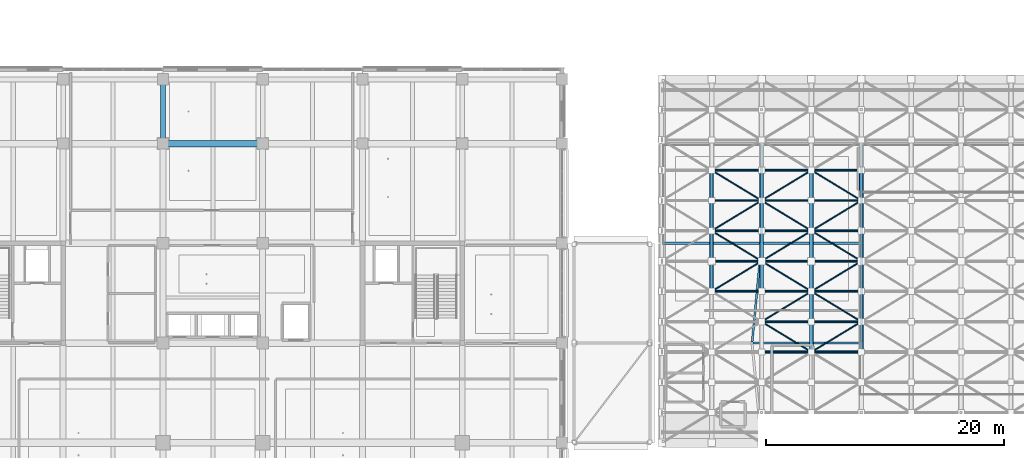
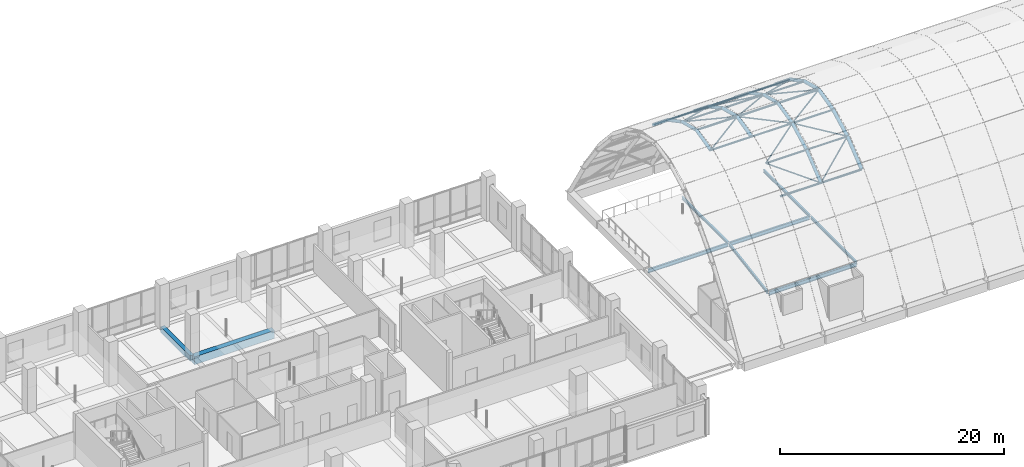
# One storey, part 25 of 128: 45 members, 19 beams.
"""IFC4 building model written with IfcOpenShell, lengths in metres."""

from ifc_helpers import new_model, si_unit, direction, frame, origin, origin_2d, place, context, subcontext, project, spatial, rectangle, hollow_circle, i_section, extrude, material, material_profile, profile_set, type_object, element, save


model = new_model("IFC4")

# Units and contexts
model_context = context("Model", 3, precision=1e-05, world=origin(), true_north=direction((0.0, 1.0)))
body_context = subcontext(model_context, "Body", "Model", "MODEL_VIEW")
ifc_project = project(units=[si_unit("LENGTHUNIT", "METRE"), si_unit("AREAUNIT", "SQUARE_METRE"), si_unit("VOLUMEUNIT", "CUBIC_METRE"), si_unit("PLANEANGLEUNIT", "RADIAN"), si_unit("MASSUNIT", "GRAM", prefix="KILO")], contexts=[model_context])

# Site, building, storey
site_placement = place(None, origin())
site = spatial("IfcSite", under=ifc_project, at=site_placement, CompositionType="ELEMENT")
building_placement = place(site_placement, origin())
building = spatial("IfcBuilding", under=site, at=building_placement, Name="Telukmera Botanical Conservatory", CompositionType="ELEMENT")
storey_placement = place(building_placement, frame((0.0, 0.0, 5.39990234375)))
storey = spatial("IfcBuildingStorey", under=building, at=storey_placement, Name="L01", CompositionType="ELEMENT", Elevation=5.39990234375)

# Beams
ifc_material_1 = material(Name="Concrete C40/50", Category="concrete")
ifc_material_profile_1 = material_profile(ifc_material_1, rectangle(XDim=0.39990234375, YDim=0.60009765625, at=origin_2d()), Name="RC 400x600")
ifc_profile_set_1 = profile_set([ifc_material_profile_1], Name="Concrete C40/50")
beam_type_1 = type_object("IfcBeamType", Name="Beam_B18", PredefinedType="BEAM", material=ifc_profile_set_1)
beam_1_placement = place(storey_placement, frame((75.60009765625, 42.8798828125, -0.2998046875), z_axis=(0.0, 1.0, 0.0), x_axis=(-1.0, 0.0, 0.0)))
element("IfcBeam", 1, at=beam_1_placement, inside=storey, type_object=beam_type_1, Name="Tower Transverse Beam L01", PredefinedType="BEAM", context=body_context, shape_type="SweptSolid", body=[
    extrude(rectangle(XDim=0.39990234375, YDim=0.60009765625, at=origin_2d()), origin(), (0.0, 0.0, 1.0), 5.240234375),
])
ifc_material_profile_2 = material_profile(ifc_material_1, rectangle(XDim=0.550048828125, YDim=0.85009765625, at=origin_2d()), Name="RC 550x850")
ifc_profile_set_2 = profile_set([ifc_material_profile_2], Name="Concrete C40/50")
beam_type_2 = type_object("IfcBeamType", Name="Beam_B4", PredefinedType="BEAM", material=ifc_profile_set_2)
beam_2_placement = place(storey_placement, frame((75.679931640625, 42.800048828125, -0.4248046875), z_axis=(1.0, 0.0, 0.0), x_axis=(0.0, 1.0, 0.0)))
element("IfcBeam", 2, at=beam_2_placement, inside=storey, type_object=beam_type_2, Name="Tower Grid Beam L01", PredefinedType="BEAM", context=body_context, shape_type="SweptSolid", body=[
    extrude(rectangle(XDim=0.550048828125, YDim=0.85009765625, at=origin_2d()), origin(), (0.0, 0.0, 1.0), 8.239990234375),
])
ifc_material_2 = material(Name="Steel S355", Category="steel")
ifc_material_profile_3 = material_profile(ifc_material_2, hollow_circle(Radius=0.177734375, WallThickness=0.012451171875, at=origin_2d()), Name="CHS 355.6x12.5")
ifc_profile_set_3 = profile_set([ifc_material_profile_3], Name="Steel S355")
beam_type_3 = type_object("IfcBeamType", Name="Beam_GA2", PredefinedType="BEAM", material=ifc_profile_set_3)
for number, where, z_axis, x_axis, name in (
    (3, (126.0, 30.369384765625, 13.761474609375), (0.0, 0.969596662505, 0.244708626858), (-1.0, 0.0, 0.0), "Conservatory Gridshell Primary Arch Rib A02-05"),
    (4, (126.0, 32.91943359375, 14.395263671875), (0.0, 0.969596662505, -0.244708626858), (-1.0, 0.0, 0.0), "Conservatory Gridshell Primary Arch Rib A02-06"),
):
    element("IfcBeam", number, at=place(storey_placement, frame(where, z_axis=z_axis, x_axis=x_axis)), inside=storey, type_object=beam_type_3, Name=name, PredefinedType="BEAM", context=body_context, shape_type="SweptSolid", body=[
        extrude(hollow_circle(Radius=0.177734375, WallThickness=0.012451171875, at=origin_2d()), origin(), (0.0, 0.0, 1.0), 2.590087890625),
    ])
beam_3_placement = place(storey_placement, frame((126.0, 35.4677734375, 13.7470703125), z_axis=(0.0, 0.883608393745, -0.468226661462), x_axis=(-1.0, 0.0, 0.0)))
element("IfcBeam", 5, at=beam_3_placement, inside=storey, type_object=beam_type_3, Name="Conservatory Gridshell Primary Arch Rib A02-07", PredefinedType="BEAM", context=body_context, shape_type="SweptSolid", body=[
    extrude(hollow_circle(Radius=0.177734375, WallThickness=0.012451171875, at=origin_2d()), origin(), (0.0, 0.0, 1.0), 2.845947265625),
])
for number, where, z_axis, x_axis, name in (
    (6, (126.0, 38.015625, 12.392578125), (0.0, 0.77797662105, -0.628293225413), (-1.0, 0.0, 0.0), "Conservatory Gridshell Primary Arch Rib A02-08"),
    (7, (134.39990234375, 25.265625, 10.3583984375), (0.0, 0.77797662105, 0.628293225413), (-1.0, 0.0, 0.0), "Conservatory Gridshell Primary Arch Rib A04-03"),
):
    element("IfcBeam", number, at=place(storey_placement, frame(where, z_axis=z_axis, x_axis=x_axis)), inside=storey, type_object=beam_type_3, Name=name, PredefinedType="BEAM", context=body_context, shape_type="SweptSolid", body=[
        extrude(hollow_circle(Radius=0.177734375, WallThickness=0.012451171875, at=origin_2d()), origin(), (0.0, 0.0, 1.0), 3.237548828125),
    ])
beam_4_placement = place(storey_placement, frame((134.39990234375, 27.817626953125, 12.41455078125), z_axis=(0.0, 0.883608393745, 0.468226661462), x_axis=(-1.0, 0.0, 0.0)))
element("IfcBeam", 8, at=beam_4_placement, inside=storey, type_object=beam_type_3, Name="Conservatory Gridshell Primary Arch Rib A04-04", PredefinedType="BEAM", context=body_context, shape_type="SweptSolid", body=[
    extrude(hollow_circle(Radius=0.177734375, WallThickness=0.012451171875, at=origin_2d()), origin(), (0.0, 0.0, 1.0), 2.845947265625),
])
for number, where, z_axis, x_axis, name in (
    (9, (134.39990234375, 30.369384765625, 13.761474609375), (0.0, 0.969596662505, 0.244708626858), (-1.0, 0.0, 0.0), "Conservatory Gridshell Primary Arch Rib A04-05"),
    (10, (134.39990234375, 32.91943359375, 14.395263671875), (0.0, 0.969596662505, -0.244708626858), (-1.0, 0.0, 0.0), "Conservatory Gridshell Primary Arch Rib A04-06"),
):
    element("IfcBeam", number, at=place(storey_placement, frame(where, z_axis=z_axis, x_axis=x_axis)), inside=storey, type_object=beam_type_3, Name=name, PredefinedType="BEAM", context=body_context, shape_type="SweptSolid", body=[
        extrude(hollow_circle(Radius=0.177734375, WallThickness=0.012451171875, at=origin_2d()), origin(), (0.0, 0.0, 1.0), 2.590087890625),
    ])
beam_5_placement = place(storey_placement, frame((134.39990234375, 35.4677734375, 13.7470703125), z_axis=(0.0, 0.883608393745, -0.468226661462), x_axis=(-1.0, 0.0, 0.0)))
element("IfcBeam", 11, at=beam_5_placement, inside=storey, type_object=beam_type_3, Name="Conservatory Gridshell Primary Arch Rib A04-07", PredefinedType="BEAM", context=body_context, shape_type="SweptSolid", body=[
    extrude(hollow_circle(Radius=0.177734375, WallThickness=0.012451171875, at=origin_2d()), origin(), (0.0, 0.0, 1.0), 2.845947265625),
])
beam_6_placement = place(storey_placement, frame((134.39990234375, 38.015625, 12.392578125), z_axis=(0.0, 0.77797662105, -0.628293225413), x_axis=(-1.0, 0.0, 0.0)))
element("IfcBeam", 12, at=beam_6_placement, inside=storey, type_object=beam_type_3, Name="Conservatory Gridshell Primary Arch Rib A04-08", PredefinedType="BEAM", context=body_context, shape_type="SweptSolid", body=[
    extrude(hollow_circle(Radius=0.177734375, WallThickness=0.012451171875, at=origin_2d()), origin(), (0.0, 0.0, 1.0), 3.237548828125),
])
ifc_material_profile_4 = material_profile(ifc_material_2, i_section(OverallWidth=0.1787109375, OverallDepth=0.409423828125, WebThickness=0.0087890625, FlangeThickness=0.014404296875, FilletRadius=0.01025390625, at=origin_2d()), Name="UB 406x178x67")
ifc_profile_set_4 = profile_set([ifc_material_profile_4], Name="Steel S355")
beam_type_4 = type_object("IfcBeamType", Name="Beam_SB4", PredefinedType="BEAM", material=ifc_profile_set_4)
beam_7_placement = place(storey_placement, frame((125.280029296875, 26.0, -0.404541015625), z_axis=(1.0, 0.0, 0.0), x_axis=(0.0, 1.0, 0.0)))
element("IfcBeam", 13, at=beam_7_placement, inside=storey, type_object=beam_type_4, Name="Conservatory Skywalk Steel Girder", PredefinedType="BEAM", context=body_context, shape_type="SweptSolid", body=[
    extrude(i_section(OverallWidth=0.1787109375, OverallDepth=0.409423828125, WebThickness=0.0087890625, FlangeThickness=0.014404296875, FilletRadius=0.01025390625, at=origin_2d()), origin(), (0.0, 0.0, 1.0), 9.0400390625),
])
for number, where, z_axis, x_axis, name in (
    (14, (117.679931640625, 34.39990234375, -0.404541015625), (1.0, 0.0, 0.0), (0.0, 1.0, 0.0), "Conservatory Skywalk Steel Girder"),
    (15, (126.080078125, 34.39990234375, -0.404541015625), (1.0, 0.0, 0.0), (0.0, 1.0, 0.0), "Conservatory Skywalk Steel Girder"),
):
    element("IfcBeam", number, at=place(storey_placement, frame(where, z_axis=z_axis, x_axis=x_axis)), inside=storey, type_object=beam_type_4, Name=name, PredefinedType="BEAM", context=body_context, shape_type="SweptSolid", body=[
        extrude(i_section(OverallWidth=0.1787109375, OverallDepth=0.409423828125, WebThickness=0.0087890625, FlangeThickness=0.014404296875, FilletRadius=0.01025390625, at=origin_2d()), origin(), (0.0, 0.0, 1.0), 8.239990234375),
    ])
ifc_material_profile_5 = material_profile(ifc_material_2, i_section(OverallWidth=0.165771484375, OverallDepth=0.306640625, WebThickness=0.006591796875, FlangeThickness=0.01171875, FilletRadius=0.0087890625, at=origin_2d()), Name="UB 305x165x46")
ifc_profile_set_5 = profile_set([ifc_material_profile_5], Name="Steel S355")
beam_type_5 = type_object("IfcBeamType", Name="Beam_SB6", PredefinedType="JOIST", material=ifc_profile_set_5)
beam_8_placement = place(storey_placement, frame((125.20751953125, 26.07958984375, -0.353271484375), z_axis=(0.094818835136, 0.995494544688, 0.0), x_axis=(-0.995494544688, 0.094818835136, 0.0)))
element("IfcBeam", 16, at=beam_8_placement, inside=storey, type_object=beam_type_5, Name="Conservatory Skywalk Bridge Beam", PredefinedType="JOIST", context=body_context, shape_type="SweptSolid", body=[
    extrude(i_section(OverallWidth=0.165771484375, OverallDepth=0.306640625, WebThickness=0.006591796875, FlangeThickness=0.01171875, FilletRadius=0.0087890625, at=origin_2d()), origin(), (0.0, 0.0, 1.0), 8.278076171875),
])
for number, where, z_axis, x_axis, name in (
    (17, (134.39990234375, 26.080078125, -0.353271484375), (0.0, 1.0, 0.0), (-1.0, 0.0, 0.0), "Conservatory Skywalk Bridge Beam"),
    (18, (126.0, 34.47998046875, -0.353271484375), (0.0, 1.0, 0.0), (-1.0, 0.0, 0.0), "Conservatory Skywalk Bridge Beam"),
    (19, (134.39990234375, 34.47998046875, -0.353271484375), (0.0, 1.0, 0.0), (-1.0, 0.0, 0.0), "Conservatory Skywalk Bridge Beam"),
):
    element("IfcBeam", number, at=place(storey_placement, frame(where, z_axis=z_axis, x_axis=x_axis)), inside=storey, type_object=beam_type_5, Name=name, PredefinedType="JOIST", context=body_context, shape_type="SweptSolid", body=[
        extrude(i_section(OverallWidth=0.165771484375, OverallDepth=0.306640625, WebThickness=0.006591796875, FlangeThickness=0.01171875, FilletRadius=0.0087890625, at=origin_2d()), origin(), (0.0, 0.0, 1.0), 8.239990234375),
    ])

# Members
ifc_material_profile_6 = material_profile(ifc_material_2, hollow_circle(Radius=0.06982421875, WallThickness=0.00634765625, at=origin_2d()), Name="CHS 139.7x6.3")
ifc_profile_set_6 = profile_set([ifc_material_profile_6], Name="Steel S355")
member_type_1 = type_object("IfcMemberType", Name="Mem_GBX2", PredefinedType="USERDEFINED", material=ifc_profile_set_6)
for number, where, z_axis, x_axis, name in (
    (20, (121.812744140625, 30.357666015625, 13.75830078125), (0.84753330536, 0.514596805442, 0.12991314073), (-0.518995092501, 0.854777218905, 0.0), "Conservatory Gridshell Diagrid Lacing Rib D01-05"),
    (21, (125.9873046875, 32.90771484375, 14.398193359375), (-0.84753330536, 0.514596805442, -0.12991314073), (-0.518995092501, -0.854777218905, 0.0), "Conservatory Gridshell Diagrid Lacing Rib D01-06"),
):
    element("IfcMember", number, at=place(storey_placement, frame(where, z_axis=z_axis, x_axis=x_axis)), inside=storey, type_object=member_type_1, Name=name, ObjectType="GRIDSHELL_RIB", PredefinedType="USERDEFINED", context=body_context, shape_type="SweptSolid", body=[
        extrude(hollow_circle(Radius=0.06982421875, WallThickness=0.00634765625, at=origin_2d()), origin(), (0.0, 0.0, 1.0), 4.925537109375),
    ])
member_1_placement = place(storey_placement, frame((121.8125, 35.45751953125, 13.75244140625), z_axis=(0.824182486076, 0.50040855815, -0.265168822782), x_axis=(-0.51898726462, 0.854781971711, 0.0)))
element("IfcMember", 22, at=member_1_placement, inside=storey, type_object=member_type_1, Name="Conservatory Gridshell Diagrid Lacing Rib D01-07", ObjectType="GRIDSHELL_RIB", PredefinedType="USERDEFINED", context=body_context, shape_type="SweptSolid", body=[
    extrude(hollow_circle(Radius=0.06982421875, WallThickness=0.00634765625, at=origin_2d()), origin(), (0.0, 0.0, 1.0), 5.065673828125),
])
for number, where, z_axis, x_axis, name in (
    (23, (125.98828125, 38.007080078125, 12.3994140625), (-0.788351905241, 0.478624123916, -0.386549119142), (-0.518963791177, -0.854796223346, 0.0), "Conservatory Gridshell Diagrid Lacing Rib D01-08"),
    (24, (130.188232421875, 25.257080078125, 10.3515625), (-0.788351905241, 0.478624123916, 0.386549119142), (-0.518963791177, -0.854796223346, 0.0), "Conservatory Gridshell Diagrid Lacing Rib D02-03"),
):
    element("IfcMember", number, at=place(storey_placement, frame(where, z_axis=z_axis, x_axis=x_axis)), inside=storey, type_object=member_type_1, Name=name, ObjectType="GRIDSHELL_RIB", PredefinedType="USERDEFINED", context=body_context, shape_type="SweptSolid", body=[
        extrude(hollow_circle(Radius=0.06982421875, WallThickness=0.00634765625, at=origin_2d()), origin(), (0.0, 0.0, 1.0), 5.2978515625),
    ])
member_2_placement = place(storey_placement, frame((126.012451171875, 27.8076171875, 12.4091796875), z_axis=(0.824182486076, 0.50040855815, 0.265168822782), x_axis=(-0.51898726462, 0.854781971711, 0.0)))
element("IfcMember", 25, at=member_2_placement, inside=storey, type_object=member_type_1, Name="Conservatory Gridshell Diagrid Lacing Rib D02-04", ObjectType="GRIDSHELL_RIB", PredefinedType="USERDEFINED", context=body_context, shape_type="SweptSolid", body=[
    extrude(hollow_circle(Radius=0.06982421875, WallThickness=0.00634765625, at=origin_2d()), origin(), (0.0, 0.0, 1.0), 5.065673828125),
])
for number, where, z_axis, x_axis, name in (
    (26, (130.187255859375, 30.357666015625, 13.75830078125), (-0.84753330536, 0.514596805442, 0.12991314073), (-0.518995092501, -0.854777218905, 0.0), "Conservatory Gridshell Diagrid Lacing Rib D02-05"),
    (27, (126.0126953125, 32.90771484375, 14.398193359375), (0.84753330536, 0.514596805442, -0.12991314073), (-0.518995092501, 0.854777218905, 0.0), "Conservatory Gridshell Diagrid Lacing Rib D02-06"),
):
    element("IfcMember", number, at=place(storey_placement, frame(where, z_axis=z_axis, x_axis=x_axis)), inside=storey, type_object=member_type_1, Name=name, ObjectType="GRIDSHELL_RIB", PredefinedType="USERDEFINED", context=body_context, shape_type="SweptSolid", body=[
        extrude(hollow_circle(Radius=0.06982421875, WallThickness=0.00634765625, at=origin_2d()), origin(), (0.0, 0.0, 1.0), 4.925537109375),
    ])
member_3_placement = place(storey_placement, frame((130.1875, 35.45751953125, 13.75244140625), z_axis=(-0.824182486076, 0.50040855815, -0.265168822782), x_axis=(-0.51898726462, -0.854781971711, 0.0)))
element("IfcMember", 28, at=member_3_placement, inside=storey, type_object=member_type_1, Name="Conservatory Gridshell Diagrid Lacing Rib D02-07", ObjectType="GRIDSHELL_RIB", PredefinedType="USERDEFINED", context=body_context, shape_type="SweptSolid", body=[
    extrude(hollow_circle(Radius=0.06982421875, WallThickness=0.00634765625, at=origin_2d()), origin(), (0.0, 0.0, 1.0), 5.065673828125),
])
member_4_placement = place(storey_placement, frame((126.01171875, 38.007080078125, 12.3994140625), z_axis=(0.788351905241, 0.478624123916, -0.386549119142), x_axis=(-0.518963791177, 0.854796223346, 0.0)))
element("IfcMember", 29, at=member_4_placement, inside=storey, type_object=member_type_1, Name="Conservatory Gridshell Diagrid Lacing Rib D02-08", ObjectType="GRIDSHELL_RIB", PredefinedType="USERDEFINED", context=body_context, shape_type="SweptSolid", body=[
    extrude(hollow_circle(Radius=0.06982421875, WallThickness=0.00634765625, at=origin_2d()), origin(), (0.0, 0.0, 1.0), 5.2978515625),
])
member_5_placement = place(storey_placement, frame((130.2119140625, 25.257080078125, 10.3515625), z_axis=(0.788334461594, 0.478641512809, 0.386563162858), x_axis=(-0.518985958004, 0.854782765031, 0.0)))
element("IfcMember", 30, at=member_5_placement, inside=storey, type_object=member_type_1, Name="Conservatory Gridshell Diagrid Lacing Rib D03-03", ObjectType="GRIDSHELL_RIB", PredefinedType="USERDEFINED", context=body_context, shape_type="SweptSolid", body=[
    extrude(hollow_circle(Radius=0.06982421875, WallThickness=0.00634765625, at=origin_2d()), origin(), (0.0, 0.0, 1.0), 5.297607421875),
])
member_6_placement = place(storey_placement, frame((134.3876953125, 27.8076171875, 12.4091796875), z_axis=(-0.824197942407, 0.500388681792, 0.265158290207), x_axis=(-0.518965091298, -0.854795434016, 0.0)))
element("IfcMember", 31, at=member_6_placement, inside=storey, type_object=member_type_1, Name="Conservatory Gridshell Diagrid Lacing Rib D03-04", ObjectType="GRIDSHELL_RIB", PredefinedType="USERDEFINED", context=body_context, shape_type="SweptSolid", body=[
    extrude(hollow_circle(Radius=0.06982421875, WallThickness=0.00634765625, at=origin_2d()), origin(), (0.0, 0.0, 1.0), 5.06591796875),
])
for number, where, z_axis, x_axis, name in (
    (32, (130.212646484375, 30.357666015625, 13.75830078125), (0.84753330536, 0.514596805442, 0.12991314073), (-0.518995092501, 0.854777218905, 0.0), "Conservatory Gridshell Diagrid Lacing Rib D03-05"),
    (33, (134.38720703125, 32.90771484375, 14.398193359375), (-0.84753330536, 0.514596805442, -0.12991314073), (-0.518995092501, -0.854777218905, 0.0), "Conservatory Gridshell Diagrid Lacing Rib D03-06"),
):
    element("IfcMember", number, at=place(storey_placement, frame(where, z_axis=z_axis, x_axis=x_axis)), inside=storey, type_object=member_type_1, Name=name, ObjectType="GRIDSHELL_RIB", PredefinedType="USERDEFINED", context=body_context, shape_type="SweptSolid", body=[
        extrude(hollow_circle(Radius=0.06982421875, WallThickness=0.00634765625, at=origin_2d()), origin(), (0.0, 0.0, 1.0), 4.925537109375),
    ])
member_7_placement = place(storey_placement, frame((130.21240234375, 35.45751953125, 13.75244140625), z_axis=(0.824197942407, 0.500388681792, -0.265158290207), x_axis=(-0.518965091298, 0.854795434016, 0.0)))
element("IfcMember", 34, at=member_7_placement, inside=storey, type_object=member_type_1, Name="Conservatory Gridshell Diagrid Lacing Rib D03-07", ObjectType="GRIDSHELL_RIB", PredefinedType="USERDEFINED", context=body_context, shape_type="SweptSolid", body=[
    extrude(hollow_circle(Radius=0.06982421875, WallThickness=0.00634765625, at=origin_2d()), origin(), (0.0, 0.0, 1.0), 5.06591796875),
])
member_8_placement = place(storey_placement, frame((134.38818359375, 38.007080078125, 12.3994140625), z_axis=(-0.788334461594, 0.478641512809, -0.386563162858), x_axis=(-0.518985958004, -0.854782765031, 0.0)))
element("IfcMember", 35, at=member_8_placement, inside=storey, type_object=member_type_1, Name="Conservatory Gridshell Diagrid Lacing Rib D03-08", ObjectType="GRIDSHELL_RIB", PredefinedType="USERDEFINED", context=body_context, shape_type="SweptSolid", body=[
    extrude(hollow_circle(Radius=0.06982421875, WallThickness=0.00634765625, at=origin_2d()), origin(), (0.0, 0.0, 1.0), 5.297607421875),
])
ifc_material_profile_7 = material_profile(ifc_material_2, hollow_circle(Radius=0.161865234375, WallThickness=0.012451171875, at=origin_2d()), Name="CHS 323.9x12.5")
ifc_profile_set_7 = profile_set([ifc_material_profile_7], Name="Steel S355")
member_type_2 = type_object("IfcMemberType", Name="Mem_GM3", PredefinedType="USERDEFINED", material=ifc_profile_set_7)
for number, where, z_axis, x_axis, name in (
    (36, (121.800048828125, 30.369384765625, 13.761474609375), (0.0, 0.969596662505, 0.244708626858), (-1.0, 0.0, 0.0), "Conservatory Gridshell Arch Segment A01-05"),
    (37, (121.800048828125, 32.91943359375, 14.395263671875), (0.0, 0.969596662505, -0.244708626858), (-1.0, 0.0, 0.0), "Conservatory Gridshell Arch Segment A01-06"),
):
    element("IfcMember", number, at=place(storey_placement, frame(where, z_axis=z_axis, x_axis=x_axis)), inside=storey, type_object=member_type_2, Name=name, ObjectType="ARCH_SEGMENT", PredefinedType="USERDEFINED", context=body_context, shape_type="SweptSolid", body=[
        extrude(hollow_circle(Radius=0.161865234375, WallThickness=0.012451171875, at=origin_2d()), origin(), (0.0, 0.0, 1.0), 2.590087890625),
    ])
member_9_placement = place(storey_placement, frame((121.800048828125, 35.4677734375, 13.7470703125), z_axis=(0.0, 0.883608393745, -0.468226661462), x_axis=(-1.0, 0.0, 0.0)))
element("IfcMember", 38, at=member_9_placement, inside=storey, type_object=member_type_2, Name="Conservatory Gridshell Arch Segment A01-07", ObjectType="ARCH_SEGMENT", PredefinedType="USERDEFINED", context=body_context, shape_type="SweptSolid", body=[
    extrude(hollow_circle(Radius=0.161865234375, WallThickness=0.012451171875, at=origin_2d()), origin(), (0.0, 0.0, 1.0), 2.845947265625),
])
for number, where, z_axis, x_axis, name in (
    (39, (121.800048828125, 38.015625, 12.392578125), (0.0, 0.77797662105, -0.628293225413), (-1.0, 0.0, 0.0), "Conservatory Gridshell Arch Segment A01-08"),
    (40, (130.199951171875, 25.265625, 10.3583984375), (0.0, 0.77797662105, 0.628293225413), (-1.0, 0.0, 0.0), "Conservatory Gridshell Arch Segment A03-03"),
):
    element("IfcMember", number, at=place(storey_placement, frame(where, z_axis=z_axis, x_axis=x_axis)), inside=storey, type_object=member_type_2, Name=name, ObjectType="ARCH_SEGMENT", PredefinedType="USERDEFINED", context=body_context, shape_type="SweptSolid", body=[
        extrude(hollow_circle(Radius=0.161865234375, WallThickness=0.012451171875, at=origin_2d()), origin(), (0.0, 0.0, 1.0), 3.237548828125),
    ])
member_10_placement = place(storey_placement, frame((130.199951171875, 27.817626953125, 12.41455078125), z_axis=(0.0, 0.883608393745, 0.468226661462), x_axis=(-1.0, 0.0, 0.0)))
element("IfcMember", 41, at=member_10_placement, inside=storey, type_object=member_type_2, Name="Conservatory Gridshell Arch Segment A03-04", ObjectType="ARCH_SEGMENT", PredefinedType="USERDEFINED", context=body_context, shape_type="SweptSolid", body=[
    extrude(hollow_circle(Radius=0.161865234375, WallThickness=0.012451171875, at=origin_2d()), origin(), (0.0, 0.0, 1.0), 2.845947265625),
])
for number, where, z_axis, x_axis, name in (
    (42, (130.199951171875, 30.369384765625, 13.761474609375), (0.0, 0.969596662505, 0.244708626858), (-1.0, 0.0, 0.0), "Conservatory Gridshell Arch Segment A03-05"),
    (43, (130.199951171875, 32.91943359375, 14.395263671875), (0.0, 0.969596662505, -0.244708626858), (-1.0, 0.0, 0.0), "Conservatory Gridshell Arch Segment A03-06"),
):
    element("IfcMember", number, at=place(storey_placement, frame(where, z_axis=z_axis, x_axis=x_axis)), inside=storey, type_object=member_type_2, Name=name, ObjectType="ARCH_SEGMENT", PredefinedType="USERDEFINED", context=body_context, shape_type="SweptSolid", body=[
        extrude(hollow_circle(Radius=0.161865234375, WallThickness=0.012451171875, at=origin_2d()), origin(), (0.0, 0.0, 1.0), 2.590087890625),
    ])
member_11_placement = place(storey_placement, frame((130.199951171875, 35.4677734375, 13.7470703125), z_axis=(0.0, 0.883608393745, -0.468226661462), x_axis=(-1.0, 0.0, 0.0)))
element("IfcMember", 44, at=member_11_placement, inside=storey, type_object=member_type_2, Name="Conservatory Gridshell Arch Segment A03-07", ObjectType="ARCH_SEGMENT", PredefinedType="USERDEFINED", context=body_context, shape_type="SweptSolid", body=[
    extrude(hollow_circle(Radius=0.161865234375, WallThickness=0.012451171875, at=origin_2d()), origin(), (0.0, 0.0, 1.0), 2.845947265625),
])
member_12_placement = place(storey_placement, frame((130.199951171875, 38.015625, 12.392578125), z_axis=(0.0, 0.77797662105, -0.628293225413), x_axis=(-1.0, 0.0, 0.0)))
element("IfcMember", 45, at=member_12_placement, inside=storey, type_object=member_type_2, Name="Conservatory Gridshell Arch Segment A03-08", ObjectType="ARCH_SEGMENT", PredefinedType="USERDEFINED", context=body_context, shape_type="SweptSolid", body=[
    extrude(hollow_circle(Radius=0.161865234375, WallThickness=0.012451171875, at=origin_2d()), origin(), (0.0, 0.0, 1.0), 3.237548828125),
])
ifc_material_profile_8 = material_profile(ifc_material_2, hollow_circle(Radius=0.109619140625, WallThickness=0.010009765625, at=origin_2d()), Name="CHS 219.1x10.0")
ifc_profile_set_8 = profile_set([ifc_material_profile_8], Name="Steel S355")
member_type_3 = type_object("IfcMemberType", Name="Mem_GP1", PredefinedType="PURLIN", material=ifc_profile_set_8)
for number, where, z_axis, x_axis, name in (
    (46, (121.820068359375, 32.89990234375, 14.400146484375), (1.0, 0.0, 0.0), (0.0, 1.0, 0.0), "Conservatory Gridshell Longitudinal Rib P01-06"),
    (47, (121.820068359375, 40.550048828125, 10.345703125), (1.0, 0.0, 0.0), (0.0, 1.0, 0.0), "Conservatory Gridshell Longitudinal Rib P01-09"),
    (48, (126.02001953125, 25.25, 10.345703125), (1.0, 0.0, 0.0), (0.0, 1.0, 0.0), "Conservatory Gridshell Longitudinal Rib P02-03"),
    (49, (126.02001953125, 32.89990234375, 14.400146484375), (1.0, 0.0, 0.0), (0.0, 1.0, 0.0), "Conservatory Gridshell Longitudinal Rib P02-06"),
    (50, (126.02001953125, 40.550048828125, 10.345703125), (1.0, 0.0, 0.0), (0.0, 1.0, 0.0), "Conservatory Gridshell Longitudinal Rib P02-09"),
    (51, (130.219970703125, 25.25, 10.345703125), (1.0, 0.0, 0.0), (0.0, 1.0, 0.0), "Conservatory Gridshell Longitudinal Rib P03-03"),
    (52, (130.219970703125, 32.89990234375, 14.400146484375), (1.0, 0.0, 0.0), (0.0, 1.0, 0.0), "Conservatory Gridshell Longitudinal Rib P03-06"),
    (53, (130.219970703125, 40.550048828125, 10.345703125), (1.0, 0.0, 0.0), (0.0, 1.0, 0.0), "Conservatory Gridshell Longitudinal Rib P03-09"),
):
    element("IfcMember", number, at=place(storey_placement, frame(where, z_axis=z_axis, x_axis=x_axis)), inside=storey, type_object=member_type_3, Name=name, PredefinedType="PURLIN", context=body_context, shape_type="SweptSolid", body=[
        extrude(hollow_circle(Radius=0.109619140625, WallThickness=0.010009765625, at=origin_2d()), origin(), (0.0, 0.0, 1.0), 4.159912109375),
    ])
ifc_material_profile_9 = material_profile(ifc_material_2, hollow_circle(Radius=0.096923828125, WallThickness=0.008056640625, at=origin_2d()), Name="CHS 193.7x8.0")
ifc_profile_set_9 = profile_set([ifc_material_profile_9], Name="Steel S355")
member_type_4 = type_object("IfcMemberType", Name="Mem_GP2", PredefinedType="PURLIN", material=ifc_profile_set_9)
for number, where, z_axis, x_axis, name in (
    (54, (121.820068359375, 30.35009765625, 13.756591796875), (1.0, 0.0, 0.0), (0.0, 1.0, 0.0), "Conservatory Gridshell Longitudinal Rib P01-05"),
    (55, (121.820068359375, 35.449951171875, 13.756591796875), (1.0, 0.0, 0.0), (0.0, 1.0, 0.0), "Conservatory Gridshell Longitudinal Rib P01-07"),
    (56, (121.820068359375, 38.0, 12.405029296875), (1.0, 0.0, 0.0), (0.0, 1.0, 0.0), "Conservatory Gridshell Longitudinal Rib P01-08"),
    (57, (126.02001953125, 27.800048828125, 12.405029296875), (1.0, 0.0, 0.0), (0.0, 1.0, 0.0), "Conservatory Gridshell Longitudinal Rib P02-04"),
    (58, (126.02001953125, 30.35009765625, 13.756591796875), (1.0, 0.0, 0.0), (0.0, 1.0, 0.0), "Conservatory Gridshell Longitudinal Rib P02-05"),
    (59, (126.02001953125, 35.449951171875, 13.756591796875), (1.0, 0.0, 0.0), (0.0, 1.0, 0.0), "Conservatory Gridshell Longitudinal Rib P02-07"),
    (60, (126.02001953125, 38.0, 12.405029296875), (1.0, 0.0, 0.0), (0.0, 1.0, 0.0), "Conservatory Gridshell Longitudinal Rib P02-08"),
    (61, (130.219970703125, 27.800048828125, 12.405029296875), (1.0, 0.0, 0.0), (0.0, 1.0, 0.0), "Conservatory Gridshell Longitudinal Rib P03-04"),
    (62, (130.219970703125, 30.35009765625, 13.756591796875), (1.0, 0.0, 0.0), (0.0, 1.0, 0.0), "Conservatory Gridshell Longitudinal Rib P03-05"),
    (63, (130.219970703125, 35.449951171875, 13.756591796875), (1.0, 0.0, 0.0), (0.0, 1.0, 0.0), "Conservatory Gridshell Longitudinal Rib P03-07"),
    (64, (130.219970703125, 38.0, 12.405029296875), (1.0, 0.0, 0.0), (0.0, 1.0, 0.0), "Conservatory Gridshell Longitudinal Rib P03-08"),
):
    element("IfcMember", number, at=place(storey_placement, frame(where, z_axis=z_axis, x_axis=x_axis)), inside=storey, type_object=member_type_4, Name=name, PredefinedType="PURLIN", context=body_context, shape_type="SweptSolid", body=[
        extrude(hollow_circle(Radius=0.096923828125, WallThickness=0.008056640625, at=origin_2d()), origin(), (0.0, 0.0, 1.0), 4.159912109375),
    ])

save(model, "model.ifc")
